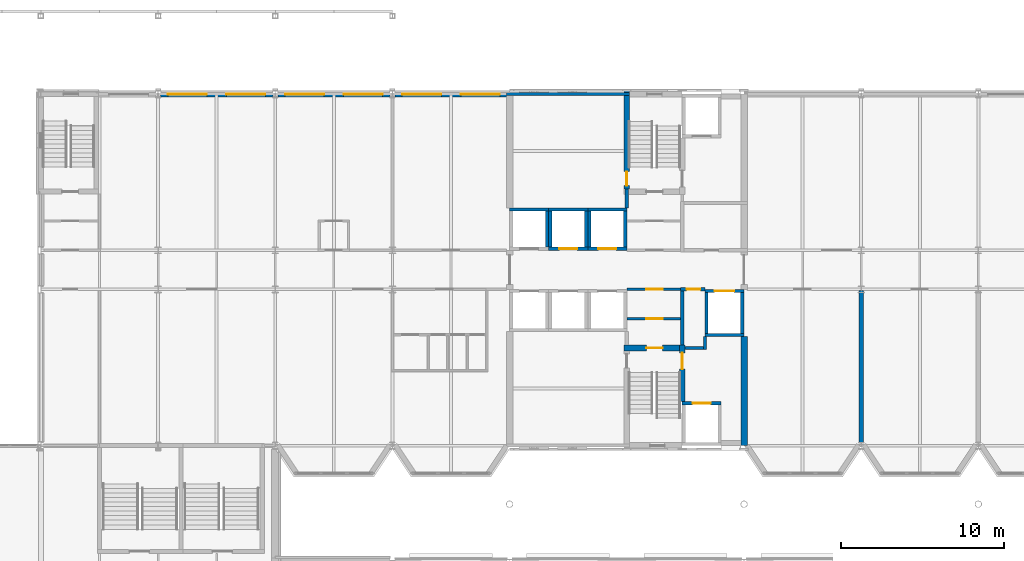
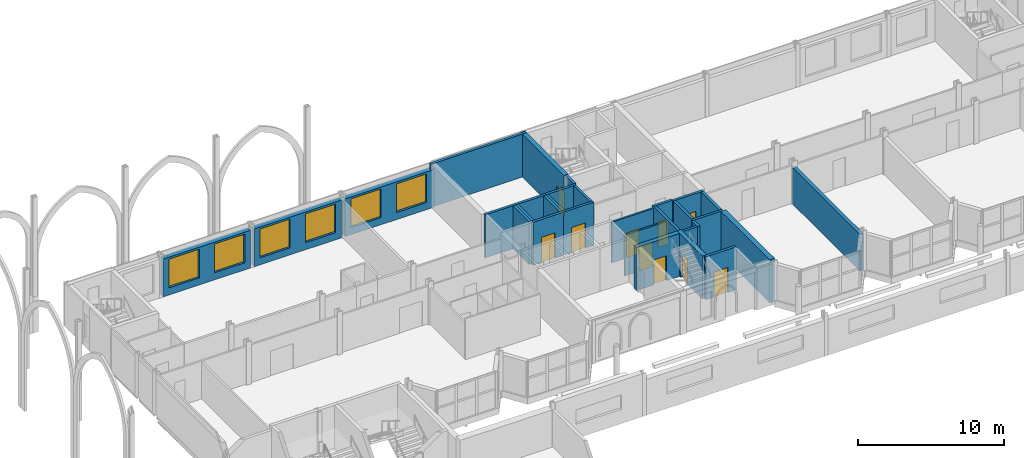
# One storey, part 75 of 124: 31 walls, 10 doors, 6 windows, 16 openings.
"""IFC4 building model written with IfcOpenShell, lengths in metres."""

from ifc_helpers import new_model, si_unit, direction, frame, frame_2d, origin, place, context, subcontext, project, spatial, rectangle, extrude, material, layer, layer_set, type_object, element, fill, save


model = new_model("IFC4")

# Units and contexts
model_context = context("Model", 3, precision=1e-05, world=origin(), true_north=direction((0.0, 1.0)))
body_context = subcontext(model_context, "Body", "Model", "MODEL_VIEW")
ifc_project = project(units=[si_unit("LENGTHUNIT", "METRE"), si_unit("AREAUNIT", "SQUARE_METRE"), si_unit("VOLUMEUNIT", "CUBIC_METRE"), si_unit("PLANEANGLEUNIT", "RADIAN"), si_unit("MASSUNIT", "GRAM", prefix="KILO")], contexts=[model_context])

# Site, building, storey
site_placement = place(None, origin())
site = spatial("IfcSite", under=ifc_project, at=site_placement, CompositionType="ELEMENT")
building_placement = place(site_placement, origin())
building = spatial("IfcBuilding", under=site, at=building_placement, Name="Kupolbacken Congress Centre", CompositionType="ELEMENT")
storey_placement = place(building_placement, frame((0.0, 0.0, 10.800048828125)))
storey = spatial("IfcBuildingStorey", under=building, at=storey_placement, Name="L03", CompositionType="ELEMENT", Elevation=10.800048828125)

# Wall, openings, windows
ifc_material_1 = material(Name="Limestone", Category="masonry")
ifc_layer_1 = layer(ifc_material_1, 0.1201171875)
ifc_material_2 = material(Name="Air cavity", Category="air")
ifc_layer_2 = layer(ifc_material_2, 0.0400390625, ventilated=True)
ifc_material_3 = material(Name="Mineral wool", Category="insulation")
ifc_layer_3 = layer(ifc_material_3, 0.169921875)
ifc_material_4 = material(Name="Steel studs", Category="metal")
ifc_layer_4 = layer(ifc_material_4, 0.050048828125)
ifc_layer_set_1 = layer_set([ifc_layer_1, ifc_layer_2, ifc_layer_3, ifc_layer_4], Name="Limestone / Mineral wool / Steel studs")
wall_type_1 = type_object("IfcWallType", Name="EW03 external cavity wall 380", PredefinedType="SOLIDWALL", material=ifc_layer_set_1)
wall_1_placement = place(storey_placement, frame((93.60009765625, 144.0, 0.0), z_axis=(0.0, 0.0, 1.0), x_axis=(-1.0, 0.0, 0.0)))
wall_1 = element("IfcWall", 1, at=wall_1_placement, inside=storey, type_object=wall_type_1, Name="E/T/N/L03/038", PredefinedType="SOLIDWALL", context=body_context, shape_type="SweptSolid", body=[
    extrude(rectangle(XDim=7.046630859375, YDim=0.3798828125, at=frame_2d((3.5234375, 0.0))), origin(), (0.0, 0.0, 1.0), 3.159912109375),
])
opening_1_placement = place(wall_1_placement, frame((4.199951171875, 0.0, 0.60009765625)))
opening_1 = element("IfcOpeningElement", 2, at=opening_1_placement, cuts=wall_1, Name="Opening W30", PredefinedType="OPENING", context=body_context, shape_type="SweptSolid", body=[
    extrude(rectangle(XDim=2.39990234375, YDim=2.39990234375, at=frame_2d((1.199951171875, 1.199951171875))), frame((0.0, 0.199951171875, 0.0), z_axis=(0.0, -1.0, 0.0), x_axis=(1.0, 0.0, 0.0)), (0.0, 0.0, 1.0), 0.39990234375),
])
opening_2_placement = place(wall_1_placement, frame((0.60009765625, 0.0, 0.60009765625)))
opening_2 = element("IfcOpeningElement", 3, at=opening_2_placement, cuts=wall_1, Name="Opening W30", PredefinedType="OPENING", context=body_context, shape_type="SweptSolid", body=[
    extrude(rectangle(XDim=2.39990234375, YDim=2.39990234375, at=frame_2d((1.199951171875, 1.199951171875))), frame((0.0, 0.199951171875, 0.0), z_axis=(0.0, -1.0, 0.0), x_axis=(1.0, 0.0, 0.0)), (0.0, 0.0, 1.0), 0.39990234375),
])
ifc_material_5 = material(Name="Aluminium frame with double or triple glazing", Category="aluminium")
window_type = type_object("IfcWindowType", Name="W30 window 2400x2400", PartitioningType="DOUBLE_PANEL_VERTICAL", PredefinedType="WINDOW", material=ifc_material_5)
window_1_placement = place(opening_1_placement, origin())
window_1 = element("IfcWindow", 4, at=window_1_placement, inside=storey, type_object=window_type, Name="E/T/N/L03/038/W1", OverallHeight=2.39990234375, OverallWidth=2.39990234375, PartitioningType="SINGLE_PANEL", PredefinedType="WINDOW", context=body_context, shape_type="SweptSolid", body=[
    extrude(rectangle(XDim=2.39990234375, YDim=2.39990234375, at=frame_2d((1.199951171875, 1.199951171875))), frame((0.0, 0.030029296875, 0.0), z_axis=(0.0, -1.0, 0.0), x_axis=(1.0, 0.0, 0.0)), (0.0, 0.0, 1.0), 0.06005859375),
])
fill(opening_1, window_1)
window_2_placement = place(opening_2_placement, origin())
window_2 = element("IfcWindow", 5, at=window_2_placement, inside=storey, type_object=window_type, Name="E/T/N/L03/038/W2", OverallHeight=2.39990234375, OverallWidth=2.39990234375, PartitioningType="SINGLE_PANEL", PredefinedType="WINDOW", context=body_context, shape_type="SweptSolid", body=[
    extrude(rectangle(XDim=2.39990234375, YDim=2.39990234375, at=frame_2d((1.199951171875, 1.199951171875))), frame((0.0, 0.030029296875, 0.0), z_axis=(0.0, -1.0, 0.0), x_axis=(1.0, 0.0, 0.0)), (0.0, 0.0, 1.0), 0.06005859375),
])
fill(opening_2, window_2)

wall_2_placement = place(storey_placement, frame((86.24658203125, 144.0, 0.0), z_axis=(0.0, 0.0, 1.0), x_axis=(-1.0, 0.0, 0.0)))
wall_2 = element("IfcWall", 6, at=wall_2_placement, inside=storey, type_object=wall_type_1, Name="E/T/N/L03/039", PredefinedType="SOLIDWALL", context=body_context, shape_type="SweptSolid", body=[
    extrude(rectangle(XDim=6.89306640625, YDim=0.3798828125, at=frame_2d((3.446533203125, 0.0))), origin(), (0.0, 0.0, 1.0), 3.159912109375),
])
opening_3_placement = place(wall_2_placement, frame((4.04638671875, 0.0, 0.60009765625)))
opening_3 = element("IfcOpeningElement", 7, at=opening_3_placement, cuts=wall_2, Name="Opening W30", PredefinedType="OPENING", context=body_context, shape_type="SweptSolid", body=[
    extrude(rectangle(XDim=2.39990234375, YDim=2.39990234375, at=frame_2d((1.199951171875, 1.199951171875))), frame((0.0, 0.199951171875, 0.0), z_axis=(0.0, -1.0, 0.0), x_axis=(1.0, 0.0, 0.0)), (0.0, 0.0, 1.0), 0.39990234375),
])
opening_4_placement = place(wall_2_placement, frame((0.446533203125, 0.0, 0.60009765625)))
opening_4 = element("IfcOpeningElement", 8, at=opening_4_placement, cuts=wall_2, Name="Opening W30", PredefinedType="OPENING", context=body_context, shape_type="SweptSolid", body=[
    extrude(rectangle(XDim=2.39990234375, YDim=2.39990234375, at=frame_2d((1.199951171875, 1.199951171875))), frame((0.0, 0.199951171875, 0.0), z_axis=(0.0, -1.0, 0.0), x_axis=(1.0, 0.0, 0.0)), (0.0, 0.0, 1.0), 0.39990234375),
])
window_3_placement = place(opening_3_placement, origin())
window_3 = element("IfcWindow", 9, at=window_3_placement, inside=storey, type_object=window_type, Name="E/T/N/L03/039/W1", OverallHeight=2.39990234375, OverallWidth=2.39990234375, PartitioningType="SINGLE_PANEL", PredefinedType="WINDOW", context=body_context, shape_type="SweptSolid", body=[
    extrude(rectangle(XDim=2.39990234375, YDim=2.39990234375, at=frame_2d((1.199951171875, 1.199951171875))), frame((0.0, 0.030029296875, 0.0), z_axis=(0.0, -1.0, 0.0), x_axis=(1.0, 0.0, 0.0)), (0.0, 0.0, 1.0), 0.06005859375),
])
fill(opening_3, window_3)
window_4_placement = place(opening_4_placement, origin())
window_4 = element("IfcWindow", 10, at=window_4_placement, inside=storey, type_object=window_type, Name="E/T/N/L03/039/W2", OverallHeight=2.39990234375, OverallWidth=2.39990234375, PartitioningType="SINGLE_PANEL", PredefinedType="WINDOW", context=body_context, shape_type="SweptSolid", body=[
    extrude(rectangle(XDim=2.39990234375, YDim=2.39990234375, at=frame_2d((1.199951171875, 1.199951171875))), frame((0.0, 0.030029296875, 0.0), z_axis=(0.0, -1.0, 0.0), x_axis=(1.0, 0.0, 0.0)), (0.0, 0.0, 1.0), 0.06005859375),
])
fill(opening_4, window_4)

wall_3_placement = place(storey_placement, frame((79.04638671875, 144.0, 0.0), z_axis=(0.0, 0.0, 1.0), x_axis=(-1.0, 0.0, 0.0)))
wall_3 = element("IfcWall", 11, at=wall_3_placement, inside=storey, type_object=wall_type_1, Name="E/T/N/L03/040", PredefinedType="SOLIDWALL", context=body_context, shape_type="SweptSolid", body=[
    extrude(rectangle(XDim=6.892822265625, YDim=0.3798828125, at=frame_2d((3.4462890625, 0.0))), origin(), (0.0, 0.0, 1.0), 3.159912109375),
])
opening_5_placement = place(wall_3_placement, frame((4.04638671875, 0.0, 0.60009765625)))
opening_5 = element("IfcOpeningElement", 12, at=opening_5_placement, cuts=wall_3, Name="Opening W30", PredefinedType="OPENING", context=body_context, shape_type="SweptSolid", body=[
    extrude(rectangle(XDim=2.39990234375, YDim=2.39990234375, at=frame_2d((1.199951171875, 1.199951171875))), frame((0.0, 0.199951171875, 0.0), z_axis=(0.0, -1.0, 0.0), x_axis=(1.0, 0.0, 0.0)), (0.0, 0.0, 1.0), 0.39990234375),
])
opening_6_placement = place(wall_3_placement, frame((0.446533203125, 0.0, 0.60009765625)))
opening_6 = element("IfcOpeningElement", 13, at=opening_6_placement, cuts=wall_3, Name="Opening W30", PredefinedType="OPENING", context=body_context, shape_type="SweptSolid", body=[
    extrude(rectangle(XDim=2.39990234375, YDim=2.39990234375, at=frame_2d((1.199951171875, 1.199951171875))), frame((0.0, 0.199951171875, 0.0), z_axis=(0.0, -1.0, 0.0), x_axis=(1.0, 0.0, 0.0)), (0.0, 0.0, 1.0), 0.39990234375),
])
window_5_placement = place(opening_5_placement, origin())
window_5 = element("IfcWindow", 14, at=window_5_placement, inside=storey, type_object=window_type, Name="E/T/N/L03/040/W1", OverallHeight=2.39990234375, OverallWidth=2.39990234375, PartitioningType="SINGLE_PANEL", PredefinedType="WINDOW", context=body_context, shape_type="SweptSolid", body=[
    extrude(rectangle(XDim=2.39990234375, YDim=2.39990234375, at=frame_2d((1.199951171875, 1.199951171875))), frame((0.0, 0.030029296875, 0.0), z_axis=(0.0, -1.0, 0.0), x_axis=(1.0, 0.0, 0.0)), (0.0, 0.0, 1.0), 0.06005859375),
])
fill(opening_5, window_5)
window_6_placement = place(opening_6_placement, origin())
window_6 = element("IfcWindow", 15, at=window_6_placement, inside=storey, type_object=window_type, Name="E/T/N/L03/040/W2", OverallHeight=2.39990234375, OverallWidth=2.39990234375, PartitioningType="SINGLE_PANEL", PredefinedType="WINDOW", context=body_context, shape_type="SweptSolid", body=[
    extrude(rectangle(XDim=2.39990234375, YDim=2.39990234375, at=frame_2d((1.199951171875, 1.199951171875))), frame((0.0, 0.030029296875, 0.0), z_axis=(0.0, -1.0, 0.0), x_axis=(1.0, 0.0, 0.0)), (0.0, 0.0, 1.0), 0.06005859375),
])
fill(opening_6, window_6)

# Wall
ifc_material_6 = material(Name="Gypsum board", Category="drywall")
ifc_layer_5 = layer(ifc_material_6, 0.27490234375)
ifc_layer_set_2 = layer_set([ifc_layer_5], Name="Gypsum board")
wall_type_2 = type_object("IfcWallType", Name="P12 partition 275", PredefinedType="PARTITIONING", material=ifc_layer_set_2)
wall_4_placement = place(storey_placement, frame((115.199951171875, 122.60009765625, 0.0), z_axis=(0.0, 0.0, 1.0), x_axis=(0.0, 1.0, 0.0)))
element("IfcWall", 16, at=wall_4_placement, inside=storey, type_object=wall_type_2, Name="T/wall/L03/y/11520/12080", PredefinedType="PARTITIONING", context=body_context, shape_type="SweptSolid", body=[
    extrude(rectangle(XDim=9.33251953125, YDim=0.27490234375, at=frame_2d((4.666259765625, 0.0))), origin(), (0.0, 0.0, 1.0), 3.06005859375),
])

# Wall, opening, door
ifc_material_7 = material(Name="Aerated concrete block", Category="masonry")
ifc_layer_6 = layer(ifc_material_7, 0.139892578125)
ifc_layer_set_3 = layer_set([ifc_layer_6], Name="Aerated concrete block")
wall_type_3 = type_object("IfcWallType", Name="P14 compartment wall 140", PredefinedType="PARTITIONING", material=ifc_layer_set_3)
wall_5_placement = place(storey_placement, frame((100.800048828125, 130.199951171875, 0.0), z_axis=(0.0, 0.0, 1.0), x_axis=(1.0, 0.0, 0.0)))
wall_5 = element("IfcWall", 17, at=wall_5_placement, inside=storey, type_object=wall_type_3, Name="T/wall/L03/x/13020/10080", PredefinedType="PARTITIONING", context=body_context, shape_type="SweptSolid", body=[
    extrude(rectangle(XDim=3.300048828125, YDim=0.139892578125, at=frame_2d((1.64990234375, 0.0))), origin(), (0.0, 0.0, 1.0), 3.419921875),
])
opening_7_placement = place(wall_5_placement, frame((1.199951171875, 0.0, 0.0)))
opening_7 = element("IfcOpeningElement", 18, at=opening_7_placement, cuts=wall_5, Name="Opening D5", PredefinedType="OPENING", context=body_context, shape_type="SweptSolid", body=[
    extrude(rectangle(XDim=1.0, YDim=2.10009765625, at=frame_2d((0.5, 1.050048828125))), frame((0.0, 0.079833984375, 0.0), z_axis=(0.0, -1.0, 0.0), x_axis=(1.0, 0.0, 0.0)), (0.0, 0.0, 1.0), 0.159912109375),
])
ifc_material_8 = material(Name="Steel fire door leaf", Category="steel")
door_type_1 = type_object("IfcDoorType", Name="D5 stair door 1000x2100", OperationType="SINGLE_SWING_LEFT", PredefinedType="DOOR", material=ifc_material_8)
door_1_placement = place(opening_7_placement, frame((1.0, 0.0, 0.0), z_axis=(0.0, 0.0, 1.0), x_axis=(-1.0, 0.0, 0.0)))
door_1 = element("IfcDoor", 19, at=door_1_placement, inside=storey, type_object=door_type_1, Name="T/wall/L03/x/13020/10080/D-TS1-LK2", OperationType="SINGLE_SWING_RIGHT", OverallHeight=2.10009765625, OverallWidth=1.0, PredefinedType="DOOR", context=body_context, shape_type="SweptSolid", body=[
    extrude(rectangle(XDim=1.0, YDim=2.10009765625, at=frame_2d((0.5, 1.050048828125))), frame((0.0, 0.02490234375, 0.0), z_axis=(0.0, -1.0, 0.0), x_axis=(1.0, 0.0, 0.0)), (0.0, 0.0, 1.0), 0.050048828125),
])
fill(opening_7, door_1)

wall_6_placement = place(storey_placement, frame((100.800048828125, 132.0, 0.0), z_axis=(0.0, 0.0, 1.0), x_axis=(1.0, 0.0, 0.0)))
wall_6 = element("IfcWall", 20, at=wall_6_placement, inside=storey, type_object=wall_type_3, Name="T/wall/L03/x/13200/10080", PredefinedType="PARTITIONING", context=body_context, shape_type="SweptSolid", body=[
    extrude(rectangle(XDim=3.300048828125, YDim=0.139892578125, at=frame_2d((1.64990234375, 0.0))), origin(), (0.0, 0.0, 1.0), 3.419921875),
])
opening_8_placement = place(wall_6_placement, frame((1.199951171875, 0.0, 0.0)))
opening_8 = element("IfcOpeningElement", 21, at=opening_8_placement, cuts=wall_6, Name="Opening D5", PredefinedType="OPENING", context=body_context, shape_type="SweptSolid", body=[
    extrude(rectangle(XDim=1.0, YDim=2.10009765625, at=frame_2d((0.5, 1.050048828125))), frame((0.0, 0.079833984375, 0.0), z_axis=(0.0, -1.0, 0.0), x_axis=(1.0, 0.0, 0.0)), (0.0, 0.0, 1.0), 0.159912109375),
])
door_2_placement = place(opening_8_placement, origin())
door_2 = element("IfcDoor", 22, at=door_2_placement, inside=storey, type_object=door_type_1, Name="T/wall/L03/x/13200/10080/D-TS1-LK3", OperationType="SINGLE_SWING_RIGHT", OverallHeight=2.10009765625, OverallWidth=1.0, PredefinedType="DOOR", context=body_context, shape_type="SweptSolid", body=[
    extrude(rectangle(XDim=1.0, YDim=2.10009765625, at=frame_2d((0.5, 1.050048828125))), frame((0.0, 0.02490234375, 0.0), z_axis=(0.0, -1.0, 0.0), x_axis=(1.0, 0.0, 0.0)), (0.0, 0.0, 1.0), 0.050048828125),
])
fill(opening_8, door_2)

# Walls
ifc_material_9 = material(Name="Concrete C40/50", Category="concrete")
ifc_layer_7 = layer(ifc_material_9, 0.199951171875)
ifc_layer_set_4 = layer_set([ifc_layer_7], Name="Concrete C40/50")
wall_type_4 = type_object("IfcWallType", Name="WC1 RC shaft wall 200", PredefinedType="SHEAR", material=ifc_layer_set_4)
wall_7_placement = place(storey_placement, frame((104.375, 128.39990234375, 0.0), z_axis=(0.0, 0.0, 1.0), x_axis=(1.0, 0.0, 0.0)))
element("IfcWall", 23, at=wall_7_placement, inside=storey, type_object=wall_type_4, Name="Shaft wall L03-093", PredefinedType="SHEAR", context=body_context, shape_type="SweptSolid", body=[
    extrude(rectangle(XDim=1.324951171875, YDim=0.199951171875, at=frame_2d((0.66259765625, 0.0))), origin(), (0.0, 0.0, 1.0), 3.599853515625),
])
wall_8_placement = place(storey_placement, frame((105.60009765625, 128.300048828125, 0.0), z_axis=(0.0, 0.0, 1.0), x_axis=(0.0, 1.0, 0.0)))
element("IfcWall", 24, at=wall_8_placement, inside=storey, type_object=wall_type_4, Name="Shaft wall L03-094", PredefinedType="SHEAR", context=body_context, shape_type="SweptSolid", body=[
    extrude(rectangle(XDim=0.800048828125, YDim=0.199951171875, at=frame_2d((0.39990234375, 0.0))), origin(), (0.0, 0.0, 1.0), 3.599853515625),
])
wall_9_placement = place(storey_placement, frame((104.199951171875, 132.10009765625, 0.0), z_axis=(0.0, 0.0, 1.0), x_axis=(0.0, -1.0, 0.0)))
element("IfcWall", 25, at=wall_9_placement, inside=storey, type_object=wall_type_4, Name="Shaft wall L03-109", PredefinedType="SHEAR", context=body_context, shape_type="SweptSolid", body=[
    extrude(rectangle(XDim=3.525146484375, YDim=0.199951171875, at=frame_2d((1.7626953125, 0.0))), origin(), (0.0, 0.0, 1.0), 3.599853515625),
])

# Wall, opening, door
wall_10_placement = place(storey_placement, frame((105.60009765625, 132.0, 0.0), z_axis=(0.0, 0.0, 1.0), x_axis=(-1.0, 0.0, 0.0)))
wall_10 = element("IfcWall", 26, at=wall_10_placement, inside=storey, type_object=wall_type_4, Name="Shaft wall L03-110", PredefinedType="SHEAR", context=body_context, shape_type="SweptSolid", body=[
    extrude(rectangle(XDim=1.5, YDim=0.199951171875, at=frame_2d((0.75, 0.0))), origin(), (0.0, 0.0, 1.0), 3.599853515625),
])
opening_9_placement = place(wall_10_placement, frame((0.27490234375, 0.0, 0.0)))
opening_9 = element("IfcOpeningElement", 27, at=opening_9_placement, cuts=wall_10, Name="Opening D3", PredefinedType="OPENING", context=body_context, shape_type="SweptSolid", body=[
    extrude(rectangle(XDim=0.85009765625, YDim=2.10009765625, at=frame_2d((0.425048828125, 1.050048828125))), frame((0.0, 0.10986328125, 0.0), z_axis=(0.0, -1.0, 0.0), x_axis=(1.0, 0.0, 0.0)), (0.0, 0.0, 1.0), 0.219970703125),
])
ifc_material_10 = material(Name="Steel fire door leaf", Category="steel")
door_type_2 = type_object("IfcDoorType", Name="D3 fire door 850x2100", OperationType="SINGLE_SWING_LEFT", PredefinedType="DOOR", material=ifc_material_10)
door_3_placement = place(opening_9_placement, origin())
door_3 = element("IfcDoor", 28, at=door_3_placement, inside=storey, type_object=door_type_2, Name="S/core/L03/110/D-TR3-A", OperationType="SINGLE_SWING_LEFT", OverallHeight=2.10009765625, OverallWidth=0.85009765625, PredefinedType="DOOR", context=body_context, shape_type="SweptSolid", body=[
    extrude(rectangle(XDim=0.85009765625, YDim=2.10009765625, at=frame_2d((0.425048828125, 1.050048828125))), frame((0.0, 0.02490234375, 0.0), z_axis=(0.0, -1.0, 0.0), x_axis=(1.0, 0.0, 0.0)), (0.0, 0.0, 1.0), 0.050048828125),
])
fill(opening_9, door_3)

# Walls
wall_11_placement = place(storey_placement, frame((100.800048828125, 137.0, 0.0), z_axis=(0.0, 0.0, 1.0), x_axis=(0.0, 1.0, 0.0)))
element("IfcWall", 29, at=wall_11_placement, inside=storey, type_object=wall_type_4, Name="Shaft wall L03-114", PredefinedType="SHEAR", context=body_context, shape_type="SweptSolid", body=[
    extrude(rectangle(XDim=1.175048828125, YDim=0.199951171875, at=frame_2d((0.58740234375, 0.0))), origin(), (0.0, 0.0, 1.0), 3.599853515625),
])
wall_12_placement = place(storey_placement, frame((100.97509765625, 144.0, 0.0), z_axis=(0.0, 0.0, 1.0), x_axis=(-1.0, 0.0, 0.0)))
element("IfcWall", 30, at=wall_12_placement, inside=storey, type_object=wall_type_4, Name="Shaft wall L03-128", PredefinedType="SHEAR", context=body_context, shape_type="SweptSolid", body=[
    extrude(rectangle(XDim=7.5751953125, YDim=0.199951171875, at=frame_2d((3.78759765625, 0.0))), origin(), (0.0, 0.0, 1.0), 3.599853515625),
])
wall_13_placement = place(storey_placement, frame((93.60009765625, 136.89990234375, 0.0), z_axis=(0.0, 0.0, 1.0), x_axis=(1.0, 0.0, 0.0)))
element("IfcWall", 31, at=wall_13_placement, inside=storey, type_object=wall_type_4, Name="Shaft wall LP12", PredefinedType="SHEAR", context=body_context, shape_type="SweptSolid", body=[
    extrude(rectangle(XDim=2.39990234375, YDim=0.199951171875, at=frame_2d((1.199951171875, 0.0))), origin(), (0.0, 0.0, 1.0), 3.599853515625),
])
wall_14_placement = place(storey_placement, frame((95.89990234375, 134.60009765625, 0.0), z_axis=(0.0, 0.0, 1.0), x_axis=(0.0, 1.0, 0.0)))
element("IfcWall", 32, at=wall_14_placement, inside=storey, type_object=wall_type_4, Name="Shaft wall LP12", PredefinedType="SHEAR", context=body_context, shape_type="SweptSolid", body=[
    extrude(rectangle(XDim=2.199951171875, YDim=0.199951171875, at=frame_2d((1.10009765625, 0.0))), origin(), (0.0, 0.0, 1.0), 3.599853515625),
])

# Wall, opening, door
wall_15_placement = place(storey_placement, frame((96.0, 134.5, 0.0), z_axis=(0.0, 0.0, 1.0), x_axis=(1.0, 0.0, 0.0)))
wall_15 = element("IfcWall", 33, at=wall_15_placement, inside=storey, type_object=wall_type_4, Name="Shaft wall LP13", PredefinedType="SHEAR", context=body_context, shape_type="SweptSolid", body=[
    extrude(rectangle(XDim=2.39990234375, YDim=0.199951171875, at=frame_2d((1.199951171875, 0.0))), origin(), (0.0, 0.0, 1.0), 3.599853515625),
])
opening_10_placement = place(wall_15_placement, frame((0.64990234375, 0.0, 0.0)))
opening_10 = element("IfcOpeningElement", 34, at=opening_10_placement, cuts=wall_15, Name="Opening LD2", PredefinedType="OPENING", context=body_context, shape_type="SweptSolid", body=[
    extrude(rectangle(XDim=1.10009765625, YDim=2.10009765625, at=frame_2d((0.550048828125, 1.050048828125))), frame((0.0, 0.10986328125, 0.0), z_axis=(0.0, -1.0, 0.0), x_axis=(1.0, 0.0, 0.0)), (0.0, 0.0, 1.0), 0.219970703125),
])
ifc_material_11 = material(Name="Stainless steel door leaf", Category="steel")
door_type_3 = type_object("IfcDoorType", Name="LD2 lift landing door 1100x2100", OperationType="SLIDING_TO_LEFT", PredefinedType="DOOR", material=ifc_material_11)
door_4_placement = place(opening_10_placement, origin())
door_4 = element("IfcDoor", 35, at=door_4_placement, inside=storey, type_object=door_type_3, Name="Lift landing door LP13", OperationType="SLIDING_TO_LEFT", OverallHeight=2.10009765625, OverallWidth=1.10009765625, PredefinedType="DOOR", context=body_context, shape_type="SweptSolid", body=[
    extrude(rectangle(XDim=1.10009765625, YDim=2.10009765625, at=frame_2d((0.550048828125, 1.050048828125))), frame((0.0, 0.02490234375, 0.0), z_axis=(0.0, -1.0, 0.0), x_axis=(1.0, 0.0, 0.0)), (0.0, 0.0, 1.0), 0.050048828125),
])
fill(opening_10, door_4)

# Walls
wall_16_placement = place(storey_placement, frame((96.0, 136.89990234375, 0.0), z_axis=(0.0, 0.0, 1.0), x_axis=(1.0, 0.0, 0.0)))
element("IfcWall", 36, at=wall_16_placement, inside=storey, type_object=wall_type_4, Name="Shaft wall LP13", PredefinedType="SHEAR", context=body_context, shape_type="SweptSolid", body=[
    extrude(rectangle(XDim=2.39990234375, YDim=0.199951171875, at=frame_2d((1.199951171875, 0.0))), origin(), (0.0, 0.0, 1.0), 3.599853515625),
])
for number, where, z_axis, x_axis, name in (
    (37, (96.10009765625, 134.60009765625, 0.0), (0.0, 0.0, 1.0), (0.0, 1.0, 0.0), "Shaft wall LP13"),
    (38, (98.300048828125, 134.60009765625, 0.0), (0.0, 0.0, 1.0), (0.0, 1.0, 0.0), "Shaft wall LP13"),
):
    element("IfcWall", number, at=place(storey_placement, frame(where, z_axis=z_axis, x_axis=x_axis)), inside=storey, type_object=wall_type_4, Name=name, PredefinedType="SHEAR", context=body_context, shape_type="SweptSolid", body=[
        extrude(rectangle(XDim=2.199951171875, YDim=0.199951171875, at=frame_2d((1.10009765625, 0.0))), origin(), (0.0, 0.0, 1.0), 3.599853515625),
    ])

# Wall, opening, door
wall_17_placement = place(storey_placement, frame((98.39990234375, 134.5, 0.0), z_axis=(0.0, 0.0, 1.0), x_axis=(1.0, 0.0, 0.0)))
wall_17 = element("IfcWall", 39, at=wall_17_placement, inside=storey, type_object=wall_type_4, Name="Shaft wall LP14", PredefinedType="SHEAR", context=body_context, shape_type="SweptSolid", body=[
    extrude(rectangle(XDim=2.400146484375, YDim=0.199951171875, at=frame_2d((1.2001953125, 0.0))), origin(), (0.0, 0.0, 1.0), 3.599853515625),
])
opening_11_placement = place(wall_17_placement, frame((0.64990234375, 0.0, 0.0)))
opening_11 = element("IfcOpeningElement", 40, at=opening_11_placement, cuts=wall_17, Name="Opening LD2", PredefinedType="OPENING", context=body_context, shape_type="SweptSolid", body=[
    extrude(rectangle(XDim=1.10009765625, YDim=2.10009765625, at=frame_2d((0.550048828125, 1.050048828125))), frame((0.0, 0.10986328125, 0.0), z_axis=(0.0, -1.0, 0.0), x_axis=(1.0, 0.0, 0.0)), (0.0, 0.0, 1.0), 0.219970703125),
])
door_5_placement = place(opening_11_placement, origin())
door_5 = element("IfcDoor", 41, at=door_5_placement, inside=storey, type_object=door_type_3, Name="Lift landing door LP14", OperationType="SLIDING_TO_LEFT", OverallHeight=2.10009765625, OverallWidth=1.10009765625, PredefinedType="DOOR", context=body_context, shape_type="SweptSolid", body=[
    extrude(rectangle(XDim=1.10009765625, YDim=2.10009765625, at=frame_2d((0.550048828125, 1.050048828125))), frame((0.0, 0.02490234375, 0.0), z_axis=(0.0, -1.0, 0.0), x_axis=(1.0, 0.0, 0.0)), (0.0, 0.0, 1.0), 0.050048828125),
])
fill(opening_11, door_5)

# Walls
wall_18_placement = place(storey_placement, frame((98.39990234375, 136.89990234375, 0.0), z_axis=(0.0, 0.0, 1.0), x_axis=(1.0, 0.0, 0.0)))
element("IfcWall", 42, at=wall_18_placement, inside=storey, type_object=wall_type_4, Name="Shaft wall LP14", PredefinedType="SHEAR", context=body_context, shape_type="SweptSolid", body=[
    extrude(rectangle(XDim=2.400146484375, YDim=0.199951171875, at=frame_2d((1.2001953125, 0.0))), origin(), (0.0, 0.0, 1.0), 3.599853515625),
])
for number, where, z_axis, x_axis, name in (
    (43, (98.5, 134.60009765625, 0.0), (0.0, 0.0, 1.0), (0.0, 1.0, 0.0), "Shaft wall LP14"),
    (44, (100.699951171875, 134.60009765625, 0.0), (0.0, 0.0, 1.0), (0.0, 1.0, 0.0), "Shaft wall LP14"),
):
    element("IfcWall", number, at=place(storey_placement, frame(where, z_axis=z_axis, x_axis=x_axis)), inside=storey, type_object=wall_type_4, Name=name, PredefinedType="SHEAR", context=body_context, shape_type="SweptSolid", body=[
        extrude(rectangle(XDim=2.199951171875, YDim=0.199951171875, at=frame_2d((1.10009765625, 0.0))), origin(), (0.0, 0.0, 1.0), 3.599853515625),
    ])

# Wall, opening, door
wall_19_placement = place(storey_placement, frame((104.199951171875, 125.0, 0.0), z_axis=(0.0, 0.0, 1.0), x_axis=(1.0, 0.0, 0.0)))
wall_19 = element("IfcWall", 45, at=wall_19_placement, inside=storey, type_object=wall_type_4, Name="Shaft wall LF1", PredefinedType="SHEAR", context=body_context, shape_type="SweptSolid", body=[
    extrude(rectangle(XDim=2.400146484375, YDim=0.199951171875, at=frame_2d((1.2001953125, 0.0))), origin(), (0.0, 0.0, 1.0), 3.599853515625),
])
opening_12_placement = place(wall_19_placement, frame((0.64990234375, 0.0, 0.0)))
opening_12 = element("IfcOpeningElement", 46, at=opening_12_placement, cuts=wall_19, Name="Opening LD2", PredefinedType="OPENING", context=body_context, shape_type="SweptSolid", body=[
    extrude(rectangle(XDim=1.10009765625, YDim=2.10009765625, at=frame_2d((0.550048828125, 1.050048828125))), frame((0.0, 0.10986328125, 0.0), z_axis=(0.0, -1.0, 0.0), x_axis=(1.0, 0.0, 0.0)), (0.0, 0.0, 1.0), 0.219970703125),
])
door_6_placement = place(opening_12_placement, origin())
door_6 = element("IfcDoor", 47, at=door_6_placement, inside=storey, type_object=door_type_3, Name="Lift landing door LF1", OperationType="SLIDING_TO_LEFT", OverallHeight=2.10009765625, OverallWidth=1.10009765625, PredefinedType="DOOR", context=body_context, shape_type="SweptSolid", body=[
    extrude(rectangle(XDim=1.10009765625, YDim=2.10009765625, at=frame_2d((0.550048828125, 1.050048828125))), frame((0.0, 0.02490234375, 0.0), z_axis=(0.0, -1.0, 0.0), x_axis=(1.0, 0.0, 0.0)), (0.0, 0.0, 1.0), 0.050048828125),
])
fill(opening_12, door_6)

# Wall
wall_20_placement = place(storey_placement, frame((105.60009765625, 129.199951171875, 0.0), z_axis=(0.0, 0.0, 1.0), x_axis=(1.0, 0.0, 0.0)))
element("IfcWall", 48, at=wall_20_placement, inside=storey, type_object=wall_type_4, Name="Shaft wall LV1", PredefinedType="SHEAR", context=body_context, shape_type="SweptSolid", body=[
    extrude(rectangle(XDim=2.39990234375, YDim=0.199951171875, at=frame_2d((1.199951171875, 0.0))), origin(), (0.0, 0.0, 1.0), 3.599853515625),
])

# Wall, opening, door
wall_21_placement = place(storey_placement, frame((105.60009765625, 131.89990234375, 0.0), z_axis=(0.0, 0.0, 1.0), x_axis=(1.0, 0.0, 0.0)))
wall_21 = element("IfcWall", 49, at=wall_21_placement, inside=storey, type_object=wall_type_4, Name="Shaft wall LV1", PredefinedType="SHEAR", context=body_context, shape_type="SweptSolid", body=[
    extrude(rectangle(XDim=2.39990234375, YDim=0.199951171875, at=frame_2d((1.199951171875, 0.0))), origin(), (0.0, 0.0, 1.0), 3.599853515625),
])
opening_13_placement = place(wall_21_placement, frame((0.60009765625, 0.0, 0.0)))
opening_13 = element("IfcOpeningElement", 50, at=opening_13_placement, cuts=wall_21, Name="Opening LD1", PredefinedType="OPENING", context=body_context, shape_type="SweptSolid", body=[
    extrude(rectangle(XDim=1.199951171875, YDim=2.10009765625, at=frame_2d((0.60009765625, 1.050048828125))), frame((0.0, 0.10986328125, 0.0), z_axis=(0.0, -1.0, 0.0), x_axis=(1.0, 0.0, 0.0)), (0.0, 0.0, 1.0), 0.219970703125),
])
ifc_material_12 = material(Name="Stainless steel door leaf", Category="steel")
door_type_4 = type_object("IfcDoorType", Name="LD1 lift landing door 1200x2100", OperationType="SLIDING_TO_LEFT", PredefinedType="DOOR", material=ifc_material_12)
door_7_placement = place(opening_13_placement, origin())
door_7 = element("IfcDoor", 51, at=door_7_placement, inside=storey, type_object=door_type_4, Name="Lift landing door LV1", OperationType="SLIDING_TO_LEFT", OverallHeight=2.10009765625, OverallWidth=1.199951171875, PredefinedType="DOOR", context=body_context, shape_type="SweptSolid", body=[
    extrude(rectangle(XDim=1.199951171875, YDim=2.10009765625, at=frame_2d((0.60009765625, 1.050048828125))), frame((0.0, 0.02490234375, 0.0), z_axis=(0.0, -1.0, 0.0), x_axis=(1.0, 0.0, 0.0)), (0.0, 0.0, 1.0), 0.050048828125),
])
fill(opening_13, door_7)

# Walls
for number, where, z_axis, x_axis, name in (
    (52, (105.699951171875, 129.300048828125, 0.0), (0.0, 0.0, 1.0), (0.0, 1.0, 0.0), "Shaft wall LV1"),
    (53, (107.89990234375, 129.300048828125, 0.0), (0.0, 0.0, 1.0), (0.0, 1.0, 0.0), "Shaft wall LV1"),
):
    element("IfcWall", number, at=place(storey_placement, frame(where, z_axis=z_axis, x_axis=x_axis)), inside=storey, type_object=wall_type_4, Name=name, PredefinedType="SHEAR", context=body_context, shape_type="SweptSolid", body=[
        extrude(rectangle(XDim=2.5, YDim=0.199951171875, at=frame_2d((1.25, 0.0))), origin(), (0.0, 0.0, 1.0), 3.599853515625),
    ])

# Wall, opening, door
ifc_material_13 = material(Name="Concrete C40/50", Category="concrete")
ifc_layer_8 = layer(ifc_material_13, 0.35009765625)
ifc_layer_set_5 = layer_set([ifc_layer_8], Name="Concrete C40/50")
wall_type_5 = type_object("IfcWallType", Name="WC4 RC core wall 350", PredefinedType="SHEAR", material=ifc_layer_set_5)
wall_22_placement = place(storey_placement, frame((104.199951171875, 125.10009765625, 0.0), z_axis=(0.0, 0.0, 1.0), x_axis=(0.0, 1.0, 0.0)))
wall_22 = element("IfcWall", 54, at=wall_22_placement, inside=storey, type_object=wall_type_5, Name="Core wall L03-081", PredefinedType="SHEAR", context=body_context, shape_type="SweptSolid", body=[
    extrude(rectangle(XDim=3.474853515625, YDim=0.35009765625, at=frame_2d((1.7373046875, 0.0))), origin(), (0.0, 0.0, 1.0), 3.599853515625),
])
opening_14_placement = place(wall_22_placement, frame((2.0, 0.0, 0.0)))
opening_14 = element("IfcOpeningElement", 55, at=opening_14_placement, cuts=wall_22, Name="Opening D5", PredefinedType="OPENING", context=body_context, shape_type="SweptSolid", body=[
    extrude(rectangle(XDim=1.0, YDim=2.10009765625, at=frame_2d((0.5, 1.050048828125))), frame((0.0, 0.18505859375, 0.0), z_axis=(0.0, -1.0, 0.0), x_axis=(1.0, 0.0, 0.0)), (0.0, 0.0, 1.0), 0.3701171875),
])
door_8_placement = place(opening_14_placement, origin())
door_8 = element("IfcDoor", 56, at=door_8_placement, inside=storey, type_object=door_type_1, Name="S/core/L03/081/D-TFL1-A", OperationType="SINGLE_SWING_LEFT", OverallHeight=2.10009765625, OverallWidth=1.0, PredefinedType="DOOR", context=body_context, shape_type="SweptSolid", body=[
    extrude(rectangle(XDim=1.0, YDim=2.10009765625, at=frame_2d((0.5, 1.050048828125))), frame((0.0, 0.02490234375, 0.0), z_axis=(0.0, -1.0, 0.0), x_axis=(1.0, 0.0, 0.0)), (0.0, 0.0, 1.0), 0.050048828125),
])
fill(opening_14, door_8)

wall_23_placement = place(storey_placement, frame((104.375, 128.39990234375, 0.0), z_axis=(0.0, 0.0, 1.0), x_axis=(-1.0, 0.0, 0.0)))
wall_23 = element("IfcWall", 57, at=wall_23_placement, inside=storey, type_object=wall_type_5, Name="Core wall L03-092", PredefinedType="SHEAR", context=body_context, shape_type="SweptSolid", body=[
    extrude(rectangle(XDim=3.75, YDim=0.35009765625, at=frame_2d((1.875, 0.0))), origin(), (0.0, 0.0, 1.0), 3.599853515625),
])
opening_15_placement = place(wall_23_placement, frame((1.375, 0.0, 0.0)))
opening_15 = element("IfcOpeningElement", 58, at=opening_15_placement, cuts=wall_23, Name="Opening D5", PredefinedType="OPENING", context=body_context, shape_type="SweptSolid", body=[
    extrude(rectangle(XDim=1.0, YDim=2.10009765625, at=frame_2d((0.5, 1.050048828125))), frame((0.0, 0.18505859375, 0.0), z_axis=(0.0, -1.0, 0.0), x_axis=(1.0, 0.0, 0.0)), (0.0, 0.0, 1.0), 0.3701171875),
])
door_9_placement = place(opening_15_placement, origin())
door_9 = element("IfcDoor", 59, at=door_9_placement, inside=storey, type_object=door_type_1, Name="S/core/L03/092/D-TS1-LK1", OperationType="SINGLE_SWING_RIGHT", OverallHeight=2.10009765625, OverallWidth=1.0, PredefinedType="DOOR", context=body_context, shape_type="SweptSolid", body=[
    extrude(rectangle(XDim=1.0, YDim=2.10009765625, at=frame_2d((0.5, 1.050048828125))), frame((0.0, 0.02490234375, 0.0), z_axis=(0.0, -1.0, 0.0), x_axis=(1.0, 0.0, 0.0)), (0.0, 0.0, 1.0), 0.050048828125),
])
fill(opening_15, door_9)

wall_24_placement = place(storey_placement, frame((100.800048828125, 144.175048828125, 0.0), z_axis=(0.0, 0.0, 1.0), x_axis=(0.0, -1.0, 0.0)))
wall_24 = element("IfcWall", 60, at=wall_24_placement, inside=storey, type_object=wall_type_5, Name="Core wall L03-127", PredefinedType="SHEAR", context=body_context, shape_type="SweptSolid", body=[
    extrude(rectangle(XDim=6.0, YDim=0.35009765625, at=frame_2d((3.0, 0.0))), origin(), (0.0, 0.0, 1.0), 3.599853515625),
])
opening_16_placement = place(wall_24_placement, frame((4.949951171875, 0.0, 0.0)))
opening_16 = element("IfcOpeningElement", 61, at=opening_16_placement, cuts=wall_24, Name="Opening D3", PredefinedType="OPENING", context=body_context, shape_type="SweptSolid", body=[
    extrude(rectangle(XDim=0.85009765625, YDim=2.10009765625, at=frame_2d((0.425048828125, 1.050048828125))), frame((0.0, 0.18505859375, 0.0), z_axis=(0.0, -1.0, 0.0), x_axis=(1.0, 0.0, 0.0)), (0.0, 0.0, 1.0), 0.3701171875),
])
door_10_placement = place(opening_16_placement, origin())
door_10 = element("IfcDoor", 62, at=door_10_placement, inside=storey, type_object=door_type_2, Name="S/core/L03/127/D-TR2-A", OperationType="SINGLE_SWING_LEFT", OverallHeight=2.10009765625, OverallWidth=0.85009765625, PredefinedType="DOOR", context=body_context, shape_type="SweptSolid", body=[
    extrude(rectangle(XDim=0.85009765625, YDim=2.10009765625, at=frame_2d((0.425048828125, 1.050048828125))), frame((0.0, 0.02490234375, 0.0), z_axis=(0.0, -1.0, 0.0), x_axis=(1.0, 0.0, 0.0)), (0.0, 0.0, 1.0), 0.050048828125),
])
fill(opening_16, door_10)

# Wall
ifc_material_14 = material(Name="Concrete C40/50", Category="concrete")
ifc_layer_9 = layer(ifc_material_14, 0.39990234375)
ifc_layer_set_6 = layer_set([ifc_layer_9], Name="Concrete C40/50")
wall_type_6 = type_object("IfcWallType", Name="WC5 RC core wall 400", PredefinedType="SHEAR", material=ifc_layer_set_6)
wall_25_placement = place(storey_placement, frame((108.0, 122.39990234375, 0.0), z_axis=(0.0, 0.0, 1.0), x_axis=(0.0, 1.0, 0.0)))
element("IfcWall", 63, at=wall_25_placement, inside=storey, type_object=wall_type_6, Name="Core wall L03-080", PredefinedType="SHEAR", context=body_context, shape_type="SweptSolid", body=[
    extrude(rectangle(XDim=6.7001953125, YDim=0.39990234375, at=frame_2d((3.35009765625, 0.0))), origin(), (0.0, 0.0, 1.0), 3.599853515625),
])

save(model, "model.ifc")
